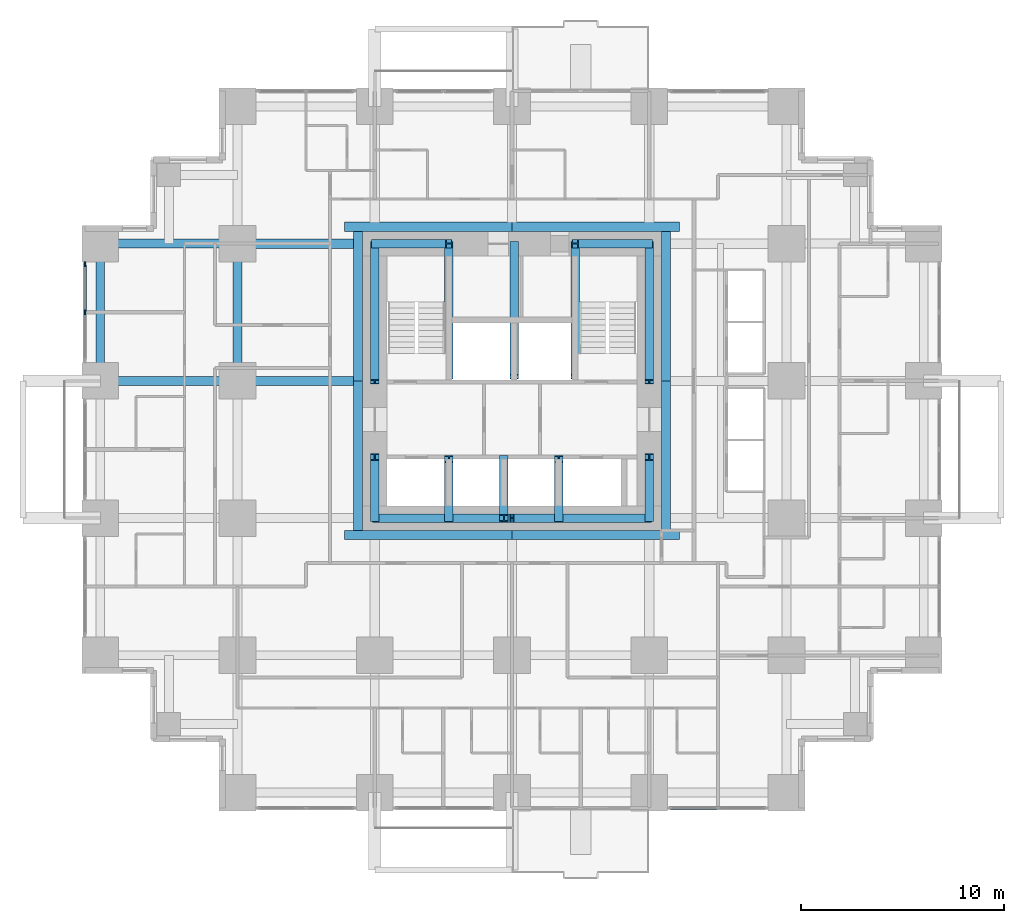
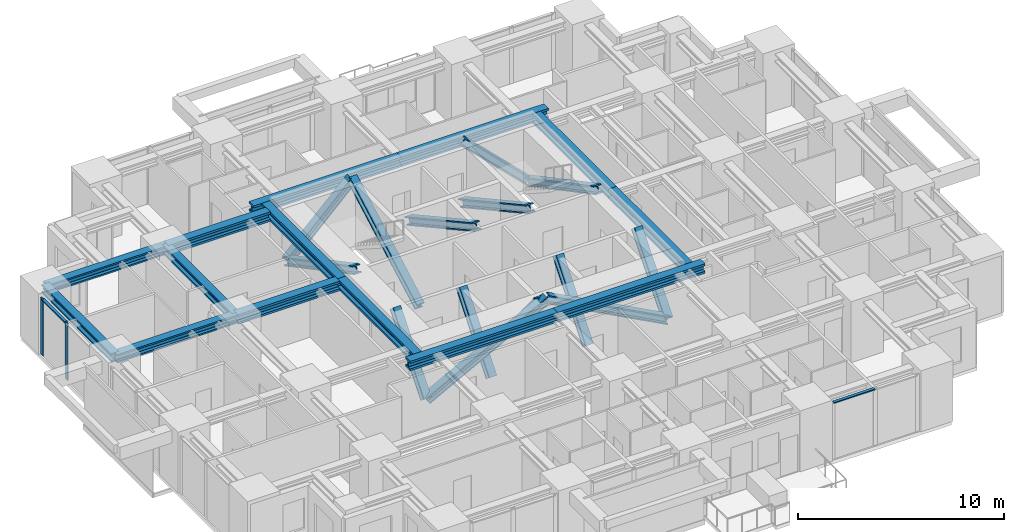
# One storey, part 3 of 12: 18 members, 14 beams, 2 elements without a shape of their own.
"""IFC4 building model written with IfcOpenShell, lengths in metres."""

from ifc_helpers import new_model, si_unit, direction, frame, origin, origin_2d, place, context, subcontext, project, spatial, rectangle, i_section, extrude, material, material_profile, profile_set, type_object, element, aggregate, save


model = new_model("IFC4")

# Units and contexts
model_context = context("Model", 3, precision=1e-05, world=origin(), true_north=direction((0.0, 1.0)))
body_context = subcontext(model_context, "Body", "Model", "MODEL_VIEW")
ifc_project = project(units=[si_unit("LENGTHUNIT", "METRE"), si_unit("AREAUNIT", "SQUARE_METRE"), si_unit("VOLUMEUNIT", "CUBIC_METRE"), si_unit("PLANEANGLEUNIT", "RADIAN"), si_unit("MASSUNIT", "GRAM", prefix="KILO")], contexts=[model_context])

# Site, building, storey
site_placement = place(None, origin())
site = spatial("IfcSite", under=ifc_project, at=site_placement, CompositionType="ELEMENT")
building_placement = place(site_placement, origin())
building = spatial("IfcBuilding", under=site, at=building_placement, Name="Nyansa Garden Tower", CompositionType="ELEMENT")
storey_placement = place(building_placement, frame((0.0, 0.0, 90.89990234375)))
storey = spatial("IfcBuildingStorey", under=building, at=storey_placement, Name="L24", CompositionType="ELEMENT", Elevation=90.89990234375)

# Curtain wall, members
ifc_material_1 = material(Name="Black anodised aluminium, dark tinted double glazing", Category="aluminium")
curtain_wall_type = type_object("IfcCurtainWallType", Name="Inner skin curtain wall ISW-B", PredefinedType="USERDEFINED", material=ifc_material_1)
curtain_wall_1_placement = place(storey_placement, origin())
curtain_wall_1 = element("IfcCurtainWall", 1, at=curtain_wall_1_placement, inside=storey, type_object=curtain_wall_type, Name="Inner skin curtain wall L24 W", ObjectType="UNITISED CURTAIN WALL", PredefinedType="USERDEFINED")
ifc_material_2 = material(Name="Black anodised aluminium", Category="aluminium")
ifc_material_profile_1 = material_profile(ifc_material_2, rectangle(XDim=0.06494140625, YDim=0.22509765625, at=origin_2d()), Name="Mullion 225x65")
ifc_profile_set_1 = profile_set([ifc_material_profile_1], Name="Black anodised aluminium")
member_type_1 = type_object("IfcMemberType", Name="Mullion ISW-B 225x65", PredefinedType="MULLION", material=ifc_profile_set_1)
member_1_placement = place(storey_placement, frame((-0.75, 25.987548828125, 0.0), z_axis=(0.0, 0.0, 1.0), x_axis=(1.0, 0.0, 0.0)))
member_1 = element("IfcMember", 2, at=member_1_placement, type_object=member_type_1, Name="ISW-B mullion 1", PredefinedType="MULLION", context=body_context, shape_type="SweptSolid", body=[
    extrude(rectangle(XDim=0.06494140625, YDim=0.22509765625, at=origin_2d()), origin(), (0.0, 0.0, 1.0), 3.375),
])
member_2_placement = place(storey_placement, frame((-0.75, 23.625, 0.0), z_axis=(0.0, 0.0, 1.0), x_axis=(1.0, 0.0, 0.0)))
member_2 = element("IfcMember", 3, at=member_2_placement, type_object=member_type_1, Name="ISW-B mullion 2", PredefinedType="MULLION", context=body_context, shape_type="SweptSolid", body=[
    extrude(rectangle(XDim=0.06494140625, YDim=0.22509765625, at=origin_2d()), origin(), (0.0, 0.0, 1.0), 3.375),
])

# Members
ifc_material_3 = material(Name="Steel S355", Category="steel")
ifc_material_profile_2 = material_profile(ifc_material_3, i_section(OverallWidth=0.41796875, OverallDepth=0.455078125, WebThickness=0.0419921875, FlangeThickness=0.067626953125, FilletRadius=0.014892578125, at=origin_2d()), Name="HD 400x463")
ifc_profile_set_2 = profile_set([ifc_material_profile_2], Name="Steel S355")
member_type_2 = type_object("IfcMemberType", Name="Perimeter brace HD 400x463", PredefinedType="BRACE", material=ifc_profile_set_2)
for number, where, z_axis, x_axis, name in (
    (4, (13.5, 13.5, 0.0), (0.882347640589, 0.0, 0.47059817376), (0.0, 1.0, 0.0), "Core brace CS1 L24"),
    (5, (27.0, 13.5, 0.0), (-0.882347640589, 0.0, 0.47059817376), (0.0, -1.0, 0.0), "Core brace CS2 L24"),
):
    element("IfcMember", number, at=place(storey_placement, frame(where, z_axis=z_axis, x_axis=x_axis)), inside=storey, type_object=member_type_2, Name=name, PredefinedType="BRACE", context=body_context, shape_type="SweptSolid", body=[
        extrude(i_section(OverallWidth=0.41796875, OverallDepth=0.455078125, WebThickness=0.0419921875, FlangeThickness=0.067626953125, FilletRadius=0.014892578125, at=origin_2d()), origin(), (0.0, 0.0, 1.0), 7.650146484375),
    ])
for number, where, z_axis, x_axis, name in (
    (6, (13.5, 27.0, 0.0), (0.711947531702, 0.0, 0.702232662373), (0.0, 1.0, 0.0), "Core brace CN3 L24"),
    (7, (27.0, 27.0, 0.0), (-0.711947531702, 0.0, 0.702232662373), (0.0, -1.0, 0.0), "Core brace CN4 L24"),
):
    element("IfcMember", number, at=place(storey_placement, frame(where, z_axis=z_axis, x_axis=x_axis)), inside=storey, type_object=member_type_2, Name=name, PredefinedType="BRACE", context=body_context, shape_type="SweptSolid", body=[
        extrude(i_section(OverallWidth=0.41796875, OverallDepth=0.455078125, WebThickness=0.0419921875, FlangeThickness=0.067626953125, FilletRadius=0.014892578125, at=origin_2d()), origin(), (0.0, 0.0, 1.0), 5.126708984375),
    ])
member_3_placement = place(storey_placement, frame((13.5, 13.5, 0.0), z_axis=(0.0, 0.640174150918, 0.768229820104), x_axis=(-1.0, 0.0, 0.0)))
element("IfcMember", 8, at=member_3_placement, inside=storey, type_object=member_type_2, Name="Core brace CW5 L24", PredefinedType="BRACE", context=body_context, shape_type="SweptSolid", body=[
    extrude(i_section(OverallWidth=0.41796875, OverallDepth=0.455078125, WebThickness=0.0419921875, FlangeThickness=0.067626953125, FilletRadius=0.014892578125, at=origin_2d()), origin(), (0.0, 0.0, 1.0), 4.686279296875),
])
member_4_placement = place(storey_placement, frame((13.5, 27.0, 0.0), z_axis=(0.0, -0.883784057226, 0.467895009796), x_axis=(1.0, 0.0, 0.0)))
element("IfcMember", 9, at=member_4_placement, inside=storey, type_object=member_type_2, Name="Core brace CW6 L24", PredefinedType="BRACE", context=body_context, shape_type="SweptSolid", body=[
    extrude(i_section(OverallWidth=0.41796875, OverallDepth=0.455078125, WebThickness=0.0419921875, FlangeThickness=0.067626953125, FilletRadius=0.014892578125, at=origin_2d()), origin(), (0.0, 0.0, 1.0), 7.6943359375),
])
member_5_placement = place(storey_placement, frame((27.0, 13.5, 0.0), z_axis=(0.0, 0.640174150918, 0.768229820104), x_axis=(-1.0, 0.0, 0.0)))
element("IfcMember", 10, at=member_5_placement, inside=storey, type_object=member_type_2, Name="Core brace CE7 L24", PredefinedType="BRACE", context=body_context, shape_type="SweptSolid", body=[
    extrude(i_section(OverallWidth=0.41796875, OverallDepth=0.455078125, WebThickness=0.0419921875, FlangeThickness=0.067626953125, FilletRadius=0.014892578125, at=origin_2d()), origin(), (0.0, 0.0, 1.0), 4.686279296875),
])
member_6_placement = place(storey_placement, frame((27.0, 27.0, 0.0), z_axis=(0.0, -0.883784057226, 0.467895009796), x_axis=(1.0, 0.0, 0.0)))
element("IfcMember", 11, at=member_6_placement, inside=storey, type_object=member_type_2, Name="Core brace CE8 L24", PredefinedType="BRACE", context=body_context, shape_type="SweptSolid", body=[
    extrude(i_section(OverallWidth=0.41796875, OverallDepth=0.455078125, WebThickness=0.0419921875, FlangeThickness=0.067626953125, FilletRadius=0.014892578125, at=origin_2d()), origin(), (0.0, 0.0, 1.0), 7.6943359375),
])
for number, where, z_axis, x_axis, name in (
    (12, (17.14990234375, 20.449951171875, 0.0), (0.0, 0.876353113771, 0.481669201822), (-1.0, 0.0, 0.0), "Core brace CWS9 L24"),
    (13, (23.35009765625, 27.0, 0.0), (0.0, -0.876353113771, 0.481669201822), (1.0, 0.0, 0.0), "Core brace CES10 L24"),
):
    element("IfcMember", number, at=place(storey_placement, frame(where, z_axis=z_axis, x_axis=x_axis)), inside=storey, type_object=member_type_2, Name=name, PredefinedType="BRACE", context=body_context, shape_type="SweptSolid", body=[
        extrude(i_section(OverallWidth=0.41796875, OverallDepth=0.455078125, WebThickness=0.0419921875, FlangeThickness=0.067626953125, FilletRadius=0.014892578125, at=origin_2d()), origin(), (0.0, 0.0, 1.0), 7.47412109375),
    ])
for number, where, z_axis, x_axis, name in (
    (14, (17.14990234375, 13.5, 0.0), (0.0, 0.627306405886, 0.778772542617), (-1.0, 0.0, 0.0), "Core brace CSW11 L24"),
    (15, (19.85009765625, 16.39990234375, 0.0), (0.0, -0.627306405886, 0.778772542617), (1.0, 0.0, 0.0), "Core brace CSW12 L24"),
    (16, (22.550048828125, 13.5, 0.0), (0.0, 0.627306405886, 0.778772542617), (-1.0, 0.0, 0.0), "Core brace CSW13 L24"),
):
    element("IfcMember", number, at=place(storey_placement, frame(where, z_axis=z_axis, x_axis=x_axis)), inside=storey, type_object=member_type_2, Name=name, PredefinedType="BRACE", context=body_context, shape_type="SweptSolid", body=[
        extrude(i_section(OverallWidth=0.41796875, OverallDepth=0.455078125, WebThickness=0.0419921875, FlangeThickness=0.067626953125, FilletRadius=0.014892578125, at=origin_2d()), origin(), (0.0, 0.0, 1.0), 4.622802734375),
    ])
member_7_placement = place(storey_placement, frame((20.35009765625, 27.0, 0.0), z_axis=(0.0, -0.876353113771, 0.481669201822), x_axis=(1.0, 0.0, 0.0)))
element("IfcMember", 17, at=member_7_placement, inside=storey, type_object=member_type_2, Name="Core brace CNW14 L24", PredefinedType="BRACE", context=body_context, shape_type="SweptSolid", body=[
    extrude(i_section(OverallWidth=0.41796875, OverallDepth=0.455078125, WebThickness=0.0419921875, FlangeThickness=0.067626953125, FilletRadius=0.014892578125, at=origin_2d()), origin(), (0.0, 0.0, 1.0), 7.47412109375),
])

# Beams
ifc_material_4 = material(Name="Steel S355", Category="steel")
ifc_material_profile_3 = material_profile(ifc_material_4, i_section(OverallWidth=0.431884765625, OverallDepth=0.498046875, WebThickness=0.0556640625, FlangeThickness=0.0888671875, FilletRadius=0.014892578125, at=origin_2d()), Name="HD 400x744")
ifc_profile_set_3 = profile_set([ifc_material_profile_3], Name="Steel S355")
beam_type_1 = type_object("IfcBeamType", Name="Steel beam SBB1-744 HD 400x744", PredefinedType="BEAM", material=ifc_profile_set_3)
for number, where, z_axis, x_axis, name in (
    (18, (0.0, 20.25, 3.1259765625), (1.0, 0.0, 0.0), (0.0, 1.0, 0.0), "Steel beam 2/G-3/G L25"),
    (19, (0.0, 27.0, 3.1259765625), (1.0, 0.0, 0.0), (0.0, 1.0, 0.0), "Steel beam 2/H-3/H L25"),
    (20, (6.75, 20.25, 3.1259765625), (0.0, 1.0, 0.0), (-1.0, 0.0, 0.0), "Steel beam 3/G-3/H L25"),
):
    element("IfcBeam", number, at=place(storey_placement, frame(where, z_axis=z_axis, x_axis=x_axis)), inside=storey, type_object=beam_type_1, Name=name, PredefinedType="BEAM", context=body_context, shape_type="SweptSolid", body=[
        extrude(i_section(OverallWidth=0.431884765625, OverallDepth=0.498046875, WebThickness=0.0556640625, FlangeThickness=0.0888671875, FilletRadius=0.014892578125, at=origin_2d()), origin(), (0.0, 0.0, 1.0), 6.75),
    ])
ifc_material_5 = material(Name="Steel S355", Category="steel")
ifc_material_profile_4 = material_profile(ifc_material_5, i_section(OverallWidth=0.4541015625, OverallDepth=0.569091796875, WebThickness=0.077880859375, FlangeThickness=0.125, FilletRadius=0.014892578125, at=origin_2d()), Name="HD 400x1086")
ifc_profile_set_4 = profile_set([ifc_material_profile_4], Name="Steel S355")
beam_type_2 = type_object("IfcBeamType", Name="Steel beam SCL-1086 HD 400x1086", PredefinedType="BEAM", material=ifc_profile_set_4)
for number, where, z_axis, x_axis, name in (
    (21, (6.75, 20.25, 3.090576171875), (1.0, 0.0, 0.0), (0.0, 1.0, 0.0), "Steel beam 3/G-12.450/G L25"),
    (22, (6.75, 27.0, 3.090576171875), (1.0, 0.0, 0.0), (0.0, 1.0, 0.0), "Steel beam 3/H-12.450/H L25"),
):
    element("IfcBeam", number, at=place(storey_placement, frame(where, z_axis=z_axis, x_axis=x_axis)), inside=storey, type_object=beam_type_2, Name=name, PredefinedType="BEAM", context=body_context, shape_type="SweptSolid", body=[
        extrude(i_section(OverallWidth=0.4541015625, OverallDepth=0.569091796875, WebThickness=0.077880859375, FlangeThickness=0.125, FilletRadius=0.014892578125, at=origin_2d()), origin(), (0.0, 0.0, 1.0), 5.699951171875),
    ])
for number, where, z_axis, x_axis, name in (
    (23, (12.0, 12.673095703125, 3.090576171875), (1.0, 0.0, 0.0), (0.0, 1.0, 0.0), "Steel core ledger beam S.1 L25"),
    (24, (20.25, 12.673095703125, 3.090576171875), (1.0, 0.0, 0.0), (0.0, 1.0, 0.0), "Steel core ledger beam S.2 L25"),
):
    element("IfcBeam", number, at=place(storey_placement, frame(where, z_axis=z_axis, x_axis=x_axis)), inside=storey, type_object=beam_type_2, Name=name, PredefinedType="BEAM", context=body_context, shape_type="SweptSolid", body=[
        extrude(i_section(OverallWidth=0.4541015625, OverallDepth=0.569091796875, WebThickness=0.077880859375, FlangeThickness=0.125, FilletRadius=0.014892578125, at=origin_2d()), origin(), (0.0, 0.0, 1.0), 8.25),
    ])
for number, where, z_axis, x_axis, name in (
    (25, (27.826904296875, 12.89990234375, 3.090576171875), (0.0, 1.0, 0.0), (-1.0, 0.0, 0.0), "Steel core ledger beam E.1 L25"),
    (26, (27.826904296875, 20.25, 3.090576171875), (0.0, 1.0, 0.0), (-1.0, 0.0, 0.0), "Steel core ledger beam E.2 L25"),
):
    element("IfcBeam", number, at=place(storey_placement, frame(where, z_axis=z_axis, x_axis=x_axis)), inside=storey, type_object=beam_type_2, Name=name, PredefinedType="BEAM", context=body_context, shape_type="SweptSolid", body=[
        extrude(i_section(OverallWidth=0.4541015625, OverallDepth=0.569091796875, WebThickness=0.077880859375, FlangeThickness=0.125, FilletRadius=0.014892578125, at=origin_2d()), origin(), (0.0, 0.0, 1.0), 7.35009765625),
    ])
for number, where, z_axis, x_axis, name in (
    (27, (28.5, 27.826904296875, 3.090576171875), (-1.0, 0.0, 0.0), (0.0, -1.0, 0.0), "Steel core ledger beam N.1 L25"),
    (28, (20.25, 27.826904296875, 3.090576171875), (-1.0, 0.0, 0.0), (0.0, -1.0, 0.0), "Steel core ledger beam N.2 L25"),
):
    element("IfcBeam", number, at=place(storey_placement, frame(where, z_axis=z_axis, x_axis=x_axis)), inside=storey, type_object=beam_type_2, Name=name, PredefinedType="BEAM", context=body_context, shape_type="SweptSolid", body=[
        extrude(i_section(OverallWidth=0.4541015625, OverallDepth=0.569091796875, WebThickness=0.077880859375, FlangeThickness=0.125, FilletRadius=0.014892578125, at=origin_2d()), origin(), (0.0, 0.0, 1.0), 8.25),
    ])
for number, where, z_axis, x_axis, name in (
    (29, (12.673095703125, 27.60009765625, 3.090576171875), (0.0, -1.0, 0.0), (1.0, 0.0, 0.0), "Steel core ledger beam W.1 L25"),
    (30, (12.673095703125, 20.25, 3.090576171875), (0.0, -1.0, 0.0), (1.0, 0.0, 0.0), "Steel core ledger beam W.2 L25"),
):
    element("IfcBeam", number, at=place(storey_placement, frame(where, z_axis=z_axis, x_axis=x_axis)), inside=storey, type_object=beam_type_2, Name=name, PredefinedType="BEAM", context=body_context, shape_type="SweptSolid", body=[
        extrude(i_section(OverallWidth=0.4541015625, OverallDepth=0.569091796875, WebThickness=0.077880859375, FlangeThickness=0.125, FilletRadius=0.014892578125, at=origin_2d()), origin(), (0.0, 0.0, 1.0), 7.35009765625),
    ])
ifc_material_6 = material(Name="Steel S355", Category="steel")
ifc_material_profile_5 = material_profile(ifc_material_6, i_section(OverallWidth=0.431884765625, OverallDepth=0.498046875, WebThickness=0.0556640625, FlangeThickness=0.0888671875, FilletRadius=0.014892578125, at=origin_2d()), Name="HD 400x744")
ifc_profile_set_5 = profile_set([ifc_material_profile_5], Name="Steel S355")
beam_type_3 = type_object("IfcBeamType", Name="Steel beam SEBB-744 HD 400x744", PredefinedType="BEAM", material=ifc_profile_set_5)
beam_placement = place(storey_placement, frame((0.0, 20.25, 3.1259765625), z_axis=(0.0, 1.0, 0.0), x_axis=(-1.0, 0.0, 0.0)))
element("IfcBeam", 31, at=beam_placement, inside=storey, type_object=beam_type_3, Name="Steel edge beam 2/G-2/H L25", PredefinedType="BEAM", context=body_context, shape_type="SweptSolid", body=[
    extrude(i_section(OverallWidth=0.431884765625, OverallDepth=0.498046875, WebThickness=0.0556640625, FlangeThickness=0.0888671875, FilletRadius=0.014892578125, at=origin_2d()), origin(), (0.0, 0.0, 1.0), 6.75),
])

# Member
ifc_material_7 = material(Name="Black anodised aluminium", Category="aluminium")
ifc_material_profile_6 = material_profile(ifc_material_7, rectangle(XDim=0.1650390625, YDim=0.06494140625, at=origin_2d()), Name="Transom 165x65")
ifc_profile_set_6 = profile_set([ifc_material_profile_6], Name="Black anodised aluminium")
member_type_3 = type_object("IfcMemberType", Name="Transom ISW-B 165x65", PredefinedType="USERDEFINED", material=ifc_profile_set_6)
member_8_placement = place(storey_placement, frame((-0.75, 25.955078125, 3.342529296875), z_axis=(0.0, -1.0, 0.0), x_axis=(1.0, 0.0, 0.0)))
member_8 = element("IfcMember", 32, at=member_8_placement, type_object=member_type_3, Name="ISW-B transom 1", ObjectType="TRANSOM", PredefinedType="USERDEFINED", context=body_context, shape_type="SweptSolid", body=[
    extrude(rectangle(XDim=0.1650390625, YDim=0.06494140625, at=origin_2d()), origin(), (0.0, 0.0, 1.0), 2.297607421875),
])

aggregate(curtain_wall_1, [member_1, member_2, member_8])

# Curtain wall, member
curtain_wall_2_placement = place(storey_placement, origin())
curtain_wall_2 = element("IfcCurtainWall", 33, at=curtain_wall_2_placement, inside=storey, type_object=curtain_wall_type, Name="Inner skin curtain wall L24 S", ObjectType="UNITISED CURTAIN WALL", PredefinedType="USERDEFINED")
member_9_placement = place(storey_placement, frame((28.044921875, -0.75, 3.342529296875), z_axis=(1.0, 0.0, 0.0), x_axis=(0.0, 1.0, 0.0)))
member_9 = element("IfcMember", 34, at=member_9_placement, type_object=member_type_3, Name="ISW-B transom 1", ObjectType="TRANSOM", PredefinedType="USERDEFINED", context=body_context, shape_type="SweptSolid", body=[
    extrude(rectangle(XDim=0.1650390625, YDim=0.06494140625, at=origin_2d()), origin(), (0.0, 0.0, 1.0), 2.297607421875),
])
aggregate(curtain_wall_2, [member_9])

save(model, "model.ifc")
